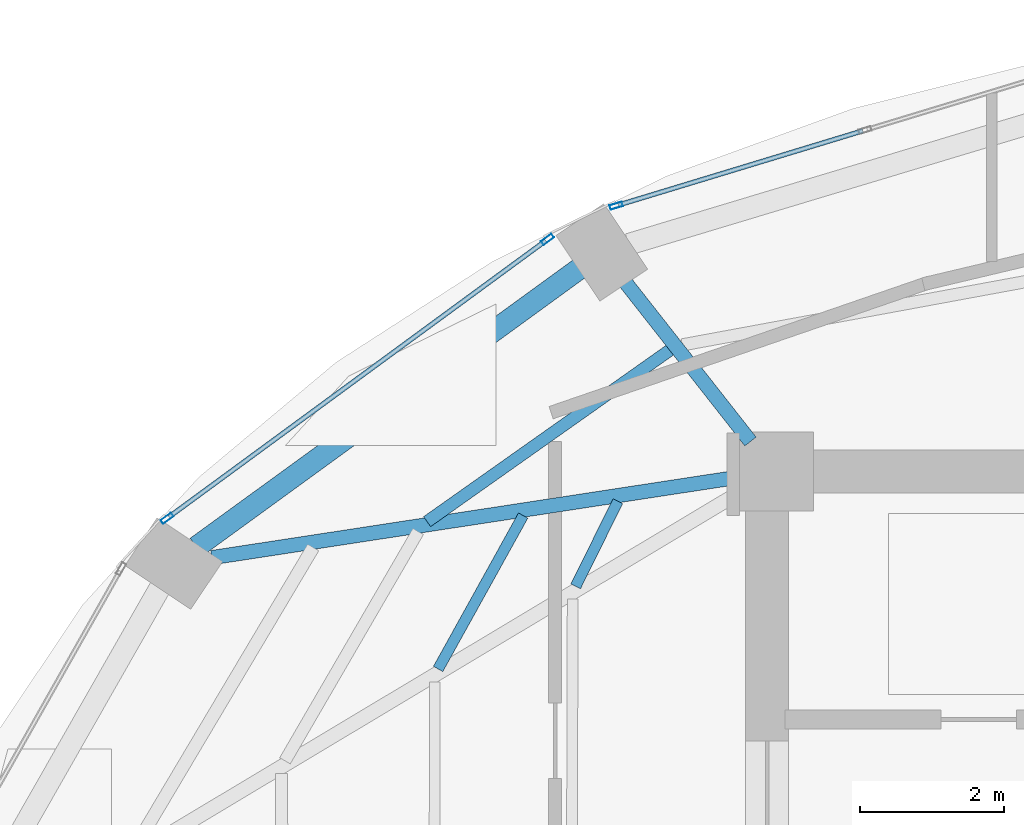
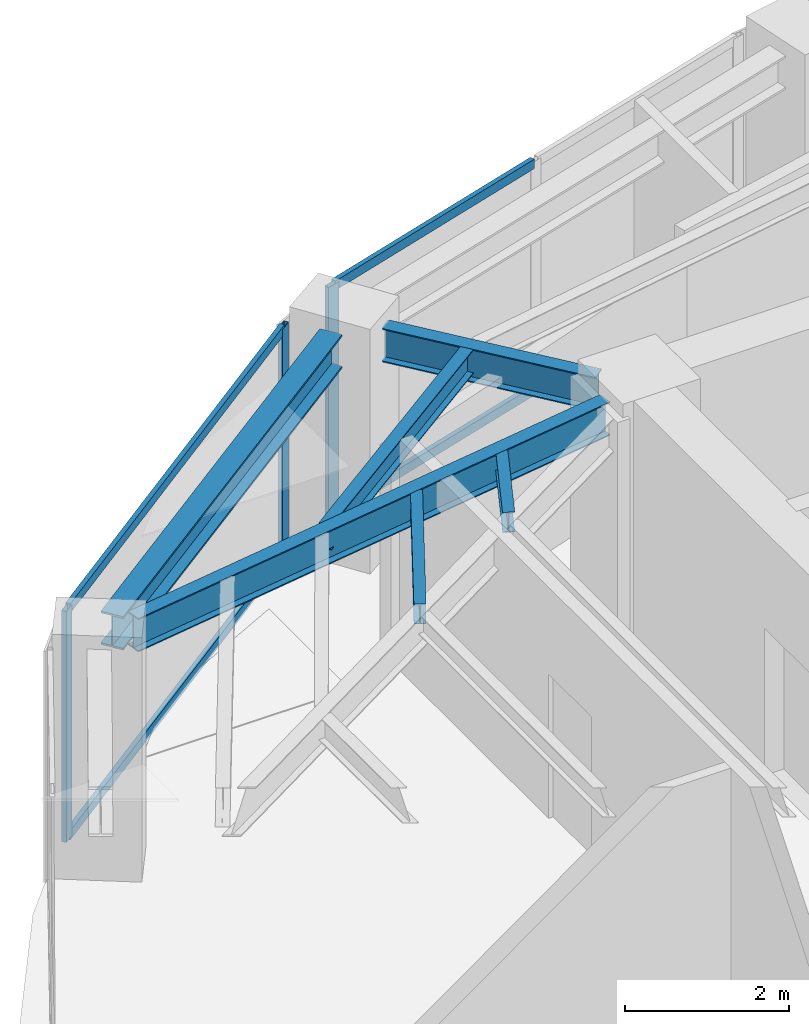
# One storey, part 9 of 22: 7 members, 6 beams, 2 elements without a shape of their own.
"""IFC4 building model written with IfcOpenShell, lengths in metres."""

from ifc_helpers import new_model, si_unit, direction, frame, origin, origin_2d, place, context, subcontext, project, spatial, hollow_rectangle, i_section, extrude, material, layer, layer_set, material_profile, profile_set, type_object, element, aggregate, save


model = new_model("IFC4")

# Units and contexts
model_context = context("Model", 3, precision=1e-05, world=origin(), true_north=direction((0.0, 1.0)))
body_context = subcontext(model_context, "Body", "Model", "MODEL_VIEW")
ifc_project = project(units=[si_unit("LENGTHUNIT", "METRE"), si_unit("AREAUNIT", "SQUARE_METRE"), si_unit("VOLUMEUNIT", "CUBIC_METRE"), si_unit("PLANEANGLEUNIT", "RADIAN"), si_unit("MASSUNIT", "GRAM", prefix="KILO")], contexts=[model_context])

# Site, building, storey
site_placement = place(None, origin())
site = spatial("IfcSite", under=ifc_project, at=site_placement, CompositionType="ELEMENT")
building_placement = place(site_placement, origin())
building = spatial("IfcBuilding", under=site, at=building_placement, Name="Lazwardi Medical Tower", CompositionType="ELEMENT")
storey_placement = place(building_placement, frame((0.0, 0.0, 224.01611328125)))
storey = spatial("IfcBuildingStorey", under=building, at=storey_placement, Name="L58", CompositionType="ELEMENT", Elevation=224.01611328125)

# Beams
ifc_material_1 = material(Name="Steel S355", Category="steel")
ifc_material_profile_1 = material_profile(ifc_material_1, i_section(OverallWidth=0.300048828125, OverallDepth=0.5, WebThickness=0.014404296875, FlangeThickness=0.028076171875, at=origin_2d()), Name="HEB 500")
ifc_profile_set_1 = profile_set([ifc_material_profile_1], Name="Steel S355")
beam_type_1 = type_object("IfcBeamType", Name="BM-RB-Z4", PredefinedType="BEAM", material=ifc_profile_set_1)
beam_1_placement = place(storey_placement, frame((23.68408203125, 38.4248046875, 3.197998046875), z_axis=(-0.808889916254, -0.587960120571, 0.0), x_axis=(0.587960120571, -0.808889916254, 0.0)))
element("IfcBeam", 1, at=beam_1_placement, inside=storey, type_object=beam_type_1, Name="Ring beam RB-05 B10 L58", PredefinedType="BEAM", context=body_context, shape_type="SweptSolid", body=[
    extrude(i_section(OverallWidth=0.300048828125, OverallDepth=0.5, WebThickness=0.014404296875, FlangeThickness=0.028076171875, at=origin_2d()), origin(), (0.0, 0.0, 1.0), 6.587158203125),
])
ifc_material_profile_2 = material_profile(ifc_material_1, i_section(OverallWidth=0.199951171875, OverallDepth=0.5, WebThickness=0.01025390625, FlangeThickness=0.01611328125, at=origin_2d()), Name="IPE 500")
ifc_profile_set_2 = profile_set([ifc_material_profile_2], Name="Steel S355")
beam_type_2 = type_object("IfcBeamType", Name="BM-RG-W3", PredefinedType="BEAM", material=ifc_profile_set_2)
beam_2_placement = place(storey_placement, frame((24.330322265625, 38.2333984375, 3.197998046875), z_axis=(0.617890508382, -0.786264153864, 0.0), x_axis=(0.786264153864, 0.617890508382, 0.0)))
element("IfcBeam", 2, at=beam_2_placement, inside=storey, type_object=beam_type_2, Name="Radial girder RG-04 R10 L58", PredefinedType="BEAM", context=body_context, shape_type="SweptSolid", body=[
    extrude(i_section(OverallWidth=0.199951171875, OverallDepth=0.5, WebThickness=0.01025390625, FlangeThickness=0.01611328125, at=origin_2d()), origin(), (0.0, 0.0, 1.0), 2.814453125),
])
beam_3_placement = place(storey_placement, frame((18.569091796875, 34.4033203125, 3.197998046875), z_axis=(0.988522137285, 0.151076087115, 0.0), x_axis=(-0.151076087115, 0.988522137285, 0.0)))
element("IfcBeam", 3, at=beam_3_placement, inside=storey, type_object=beam_type_2, Name="Radial girder RG-04 R11 L58", PredefinedType="BEAM", context=body_context, shape_type="SweptSolid", body=[
    extrude(i_section(OverallWidth=0.199951171875, OverallDepth=0.5, WebThickness=0.01025390625, FlangeThickness=0.01611328125, at=origin_2d()), origin(), (0.0, 0.0, 1.0), 7.38671875),
])
ifc_material_profile_3 = material_profile(ifc_material_1, i_section(OverallWidth=0.169921875, OverallDepth=0.360107421875, WebThickness=0.008056640625, FlangeThickness=0.0126953125, at=origin_2d()), Name="IPE 360")
ifc_profile_set_3 = profile_set([ifc_material_profile_3], Name="Steel S355")
beam_type_3 = type_object("IfcBeamType", Name="BM-SJ-02", PredefinedType="JOIST", material=ifc_profile_set_3)
beam_4_placement = place(storey_placement, frame((24.948486328125, 37.29345703125, 3.267822265625), z_axis=(-0.816711190406, -0.577046645832, 0.0), x_axis=(0.577046645832, -0.816711190406, 0.0)))
element("IfcBeam", 4, at=beam_4_placement, inside=storey, type_object=beam_type_3, Name="Secondary joist SJ-02 R2 B10 L58", PredefinedType="JOIST", context=body_context, shape_type="SweptSolid", body=[
    extrude(i_section(OverallWidth=0.169921875, OverallDepth=0.360107421875, WebThickness=0.008056640625, FlangeThickness=0.0126953125, at=origin_2d()), origin(), (0.0, 0.0, 1.0), 4.139892578125),
])
ifc_material_profile_4 = material_profile(ifc_material_1, i_section(OverallWidth=0.14990234375, OverallDepth=0.300048828125, WebThickness=0.007080078125, FlangeThickness=0.0107421875, at=origin_2d()), Name="IPE 300")
ifc_profile_set_4 = profile_set([ifc_material_profile_4], Name="Steel S355")
beam_type_4 = type_object("IfcBeamType", Name="BM-SJ-03", PredefinedType="JOIST", material=ifc_profile_set_4)
beam_5_placement = place(storey_placement, frame((22.904296875, 34.98974609375, 3.2978515625), z_axis=(-0.484751625998, -0.874651851363, 0.0), x_axis=(0.874651851363, -0.484751625998, 0.0)))
element("IfcBeam", 5, at=beam_5_placement, inside=storey, type_object=beam_type_4, Name="Secondary joist SJ-03 R3 B11 L58", PredefinedType="JOIST", context=body_context, shape_type="SweptSolid", body=[
    extrude(i_section(OverallWidth=0.14990234375, OverallDepth=0.300048828125, WebThickness=0.007080078125, FlangeThickness=0.0107421875, at=origin_2d()), origin(), (0.0, 0.0, 1.0), 2.442626953125),
])
beam_6_placement = place(storey_placement, frame((24.222412109375, 35.188720703125, 3.2978515625), z_axis=(-0.443587297772, -0.89623116954, 0.0), x_axis=(0.89623116954, -0.443587297772, 0.0)))
element("IfcBeam", 6, at=beam_6_placement, inside=storey, type_object=beam_type_4, Name="Secondary joist SJ-03 R4 B11 L58", PredefinedType="JOIST", context=body_context, shape_type="SweptSolid", body=[
    extrude(i_section(OverallWidth=0.14990234375, OverallDepth=0.300048828125, WebThickness=0.007080078125, FlangeThickness=0.0107421875, at=origin_2d()), origin(), (0.0, 0.0, 1.0), 1.32080078125),
])

# Curtain wall, member
ifc_material_2 = material(Name="Anodised bronze aluminium and solar control glazing", Category="aluminium")
ifc_layer = layer(ifc_material_2, 0.18994140625)
ifc_layer_set = layer_set([ifc_layer], Name="Anodised bronze aluminium and solar control glazing")
curtain_wall_type = type_object("IfcCurtainWallType", Name="CW-SYS-04", PredefinedType="NOTDEFINED", material=ifc_layer_set)
curtain_wall_1_placement = place(storey_placement, origin())
curtain_wall_1 = element("IfcCurtainWall", 7, at=curtain_wall_1_placement, inside=storey, type_object=curtain_wall_type, Name="L58 Unitised bronze curtain wall CW-04", PredefinedType="NOTDEFINED")
ifc_material_3 = material(Name="Anodised bronze aluminium", Category="aluminium")
ifc_material_profile_5 = material_profile(ifc_material_3, hollow_rectangle(XDim=0.06494140625, YDim=0.179931640625, WallThickness=0.00390625, at=origin_2d()), Name="ALU-MULLION 180x65x4")
ifc_profile_set_5 = profile_set([ifc_material_profile_5], Name="Anodised bronze aluminium")
member_type_1 = type_object("IfcMemberType", Name="CW-MUL-03", PredefinedType="MULLION", material=ifc_profile_set_5)
member_1_placement = place(storey_placement, frame((24.2001953125, 39.303466796875, 0.0), z_axis=(0.0, 0.0, 1.0), x_axis=(0.290581889515, -0.956850126972, 0.0)))
member_1 = element("IfcMember", 8, at=member_1_placement, type_object=member_type_1, Name="CW-04 mullion 3", PredefinedType="MULLION", context=body_context, shape_type="SweptSolid", body=[
    extrude(hollow_rectangle(XDim=0.06494140625, YDim=0.179931640625, WallThickness=0.00390625, at=origin_2d()), origin(), (0.0, 0.0, 1.0), 3.447998046875),
])

# Curtain wall, members
curtain_wall_2_placement = place(storey_placement, origin())
curtain_wall_2 = element("IfcCurtainWall", 9, at=curtain_wall_2_placement, inside=storey, type_object=curtain_wall_type, Name="L58 Unitised bronze curtain wall CW-04", PredefinedType="NOTDEFINED")
member_2_placement = place(storey_placement, frame((23.24462890625, 38.8349609375, 0.0), z_axis=(0.0, 0.0, 1.0), x_axis=(0.591268230971, -0.806474971121, 0.0)))
member_2 = element("IfcMember", 10, at=member_2_placement, type_object=member_type_1, Name="CW-04 mullion 1", PredefinedType="MULLION", context=body_context, shape_type="SweptSolid", body=[
    extrude(hollow_rectangle(XDim=0.06494140625, YDim=0.179931640625, WallThickness=0.00390625, at=origin_2d()), origin(), (0.0, 0.0, 1.0), 3.447998046875),
])
member_3_placement = place(storey_placement, frame((17.947998046875, 34.95166015625, 0.0), z_axis=(0.0, 0.0, 1.0), x_axis=(0.591268230971, -0.806474971121, 0.0)))
member_3 = element("IfcMember", 11, at=member_3_placement, type_object=member_type_1, Name="CW-04 mullion 2", PredefinedType="MULLION", context=body_context, shape_type="SweptSolid", body=[
    extrude(hollow_rectangle(XDim=0.06494140625, YDim=0.179931640625, WallThickness=0.00390625, at=origin_2d()), origin(), (0.0, 0.0, 1.0), 3.447998046875),
])

# Member
ifc_material_profile_6 = material_profile(ifc_material_3, hollow_rectangle(XDim=0.06494140625, YDim=0.139892578125, WallThickness=0.00341796875, at=origin_2d()), Name="ALU-TRANSOM 140x65x3.5")
ifc_profile_set_6 = profile_set([ifc_material_profile_6], Name="Anodised bronze aluminium")
member_type_2 = type_object("IfcMemberType", Name="CW-TRN-03", PredefinedType="USERDEFINED", material=ifc_profile_set_6)
member_4_placement = place(storey_placement, frame((27.632568359375, 40.345947265625, 0.032470703125), z_axis=(-0.956843409009, -0.290604010015, 0.0), x_axis=(0.290604010015, -0.956843409009, 0.0)))
member_4 = element("IfcMember", 12, at=member_4_placement, type_object=member_type_2, Name="CW-04 transom 2.1", ObjectType="TRANSOM", PredefinedType="USERDEFINED", context=body_context, shape_type="SweptSolid", body=[
    extrude(hollow_rectangle(XDim=0.06494140625, YDim=0.139892578125, WallThickness=0.00341796875, at=origin_2d()), origin(), (0.0, 0.0, 1.0), 3.554443359375),
])

member_5_placement = place(storey_placement, frame((27.632568359375, 40.345947265625, 3.415283203125), z_axis=(-0.956843409009, -0.290604010015, 0.0), x_axis=(0.290604010015, -0.956843409009, 0.0)))
member_5 = element("IfcMember", 13, at=member_5_placement, type_object=member_type_2, Name="CW-04 transom 2.2", ObjectType="TRANSOM", PredefinedType="USERDEFINED", context=body_context, shape_type="SweptSolid", body=[
    extrude(hollow_rectangle(XDim=0.06494140625, YDim=0.139892578125, WallThickness=0.00341796875, at=origin_2d()), origin(), (0.0, 0.0, 1.0), 3.554443359375),
])

aggregate(curtain_wall_1, [member_1, member_4, member_5])

member_6_placement = place(storey_placement, frame((23.218505859375, 38.815673828125, 0.032470703125), z_axis=(-0.80648973359, -0.591248094808, 0.0), x_axis=(0.591248094808, -0.80648973359, 0.0)))
member_6 = element("IfcMember", 14, at=member_6_placement, type_object=member_type_2, Name="CW-04 transom 1.1", ObjectType="TRANSOM", PredefinedType="USERDEFINED", context=body_context, shape_type="SweptSolid", body=[
    extrude(hollow_rectangle(XDim=0.06494140625, YDim=0.139892578125, WallThickness=0.00341796875, at=origin_2d()), origin(), (0.0, 0.0, 1.0), 6.502685546875),
])

member_7_placement = place(storey_placement, frame((23.218505859375, 38.815673828125, 3.415283203125), z_axis=(-0.80648973359, -0.591248094808, 0.0), x_axis=(0.591248094808, -0.80648973359, 0.0)))
member_7 = element("IfcMember", 15, at=member_7_placement, type_object=member_type_2, Name="CW-04 transom 1.2", ObjectType="TRANSOM", PredefinedType="USERDEFINED", context=body_context, shape_type="SweptSolid", body=[
    extrude(hollow_rectangle(XDim=0.06494140625, YDim=0.139892578125, WallThickness=0.00341796875, at=origin_2d()), origin(), (0.0, 0.0, 1.0), 6.502685546875),
])

aggregate(curtain_wall_2, [member_2, member_3, member_6, member_7])

save(model, "model.ifc")
